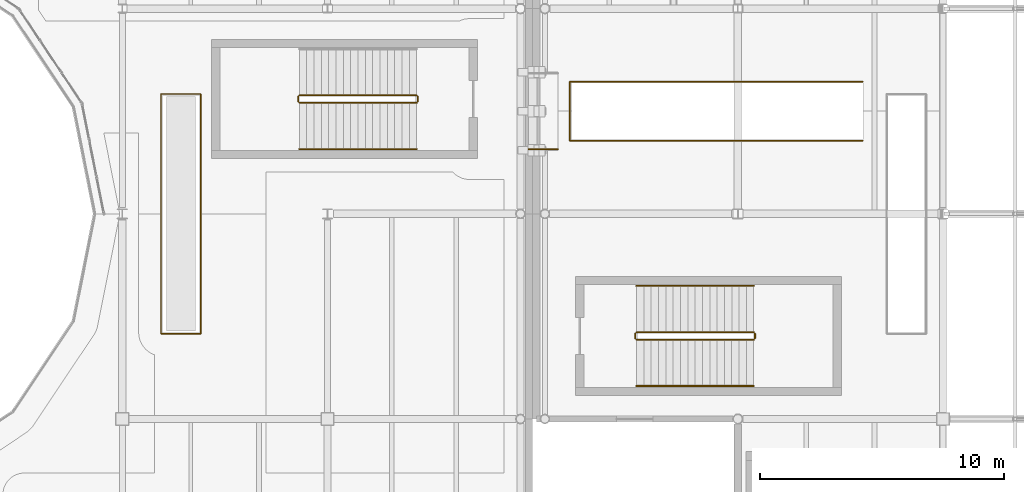
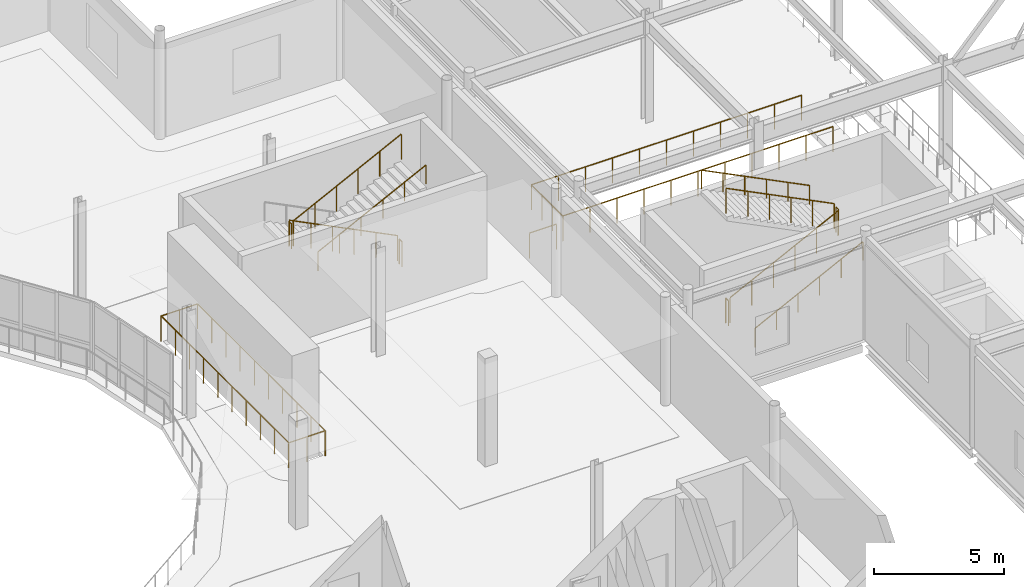
# One storey, part 89 of 103: 14 railings.
"""IFC4 building model written with IfcOpenShell, lengths in metres."""

from ifc_helpers import new_model, si_unit, direction, frame, origin, origin_2d, place, context, subcontext, project, spatial, circle, extrude, material, type_object, element, save


model = new_model("IFC4")

# Units and contexts
model_context = context("Model", 3, precision=1e-05, world=origin(), true_north=direction((0.0, 1.0)))
body_context = subcontext(model_context, "Body", "Model", "MODEL_VIEW")
ifc_project = project(units=[si_unit("LENGTHUNIT", "METRE"), si_unit("AREAUNIT", "SQUARE_METRE"), si_unit("VOLUMEUNIT", "CUBIC_METRE"), si_unit("PLANEANGLEUNIT", "RADIAN"), si_unit("MASSUNIT", "GRAM", prefix="KILO"), si_unit("THERMODYNAMICTEMPERATUREUNIT", "KELVIN")], contexts=[model_context])

# Site, building, storey
site_placement = place(None, origin())
site = spatial("IfcSite", under=ifc_project, at=site_placement, CompositionType="ELEMENT")
building_placement = place(site_placement, origin())
building = spatial("IfcBuilding", under=site, at=building_placement, Name="Lustrewick Department Store", CompositionType="ELEMENT")
storey_placement = place(building_placement, frame((0.0, 0.0, 16.5)))
storey = spatial("IfcBuildingStorey", under=building, at=storey_placement, Name="L04", CompositionType="ELEMENT", Elevation=16.5)

# Railings
ifc_material_1 = material(Name="Laminated safety glass and bronze atrium balustrade", Category="glass")
railing_type_1 = type_object("IfcRailingType", Name="RL-BAL", PredefinedType="BALUSTRADE", material=ifc_material_1)
railing_1_placement = place(storey_placement, frame((72.320068359375, 70.18994140625, 0.0)))
element("IfcRailing", 1, at=railing_1_placement, inside=storey, type_object=railing_type_1, Name="L04 Feature Stair AST03 Well Balustrade", PredefinedType="BALUSTRADE", context=body_context, shape_type="SweptSolid", body=[
    extrude(circle(Radius=0.02392578125, at=origin_2d()), frame((0.0, 0.0, 1.17578125), z_axis=(-1.0, 0.0, 0.0), x_axis=(0.0, -1.0, 0.0)), (0.0, 0.0, 1.0), 12.0),
    extrude(circle(Radius=0.02392578125, at=origin_2d()), frame((-12.0, 0.0, 1.17578125), z_axis=(0.0, 1.0, 0.0), x_axis=(-1.0, 0.0, 0.0)), (0.0, 0.0, 1.0), 2.420166015625),
    extrude(circle(Radius=0.02392578125, at=origin_2d()), frame((-12.0, 2.420166015625, 1.17578125), z_axis=(1.0, 0.0, 0.0), x_axis=(0.0, 1.0, 0.0)), (0.0, 0.0, 1.0), 12.0),
    extrude(circle(Radius=0.02099609375, at=origin_2d()), origin(), (0.0, 0.0, 1.0), 1.15185546875),
    extrude(circle(Radius=0.02099609375, at=origin_2d()), frame((-1.199951171875, 0.0, 0.0)), (0.0, 0.0, 1.0), 1.15185546875),
    extrude(circle(Radius=0.02099609375, at=origin_2d()), frame((-2.39990234375, 0.0, 0.0)), (0.0, 0.0, 1.0), 1.15185546875),
    extrude(circle(Radius=0.02099609375, at=origin_2d()), frame((-3.60009765625, 0.0, 0.0)), (0.0, 0.0, 1.0), 1.15185546875),
    extrude(circle(Radius=0.02099609375, at=origin_2d()), frame((-4.800048828125, 0.0, 0.0)), (0.0, 0.0, 1.0), 1.15185546875),
    extrude(circle(Radius=0.02099609375, at=origin_2d()), frame((-6.0, 0.0, 0.0)), (0.0, 0.0, 1.0), 1.15185546875),
    extrude(circle(Radius=0.02099609375, at=origin_2d()), frame((-7.199951171875, 0.0, 0.0)), (0.0, 0.0, 1.0), 1.15185546875),
    extrude(circle(Radius=0.02099609375, at=origin_2d()), frame((-8.39990234375, 0.0, 0.0)), (0.0, 0.0, 1.0), 1.15185546875),
    extrude(circle(Radius=0.02099609375, at=origin_2d()), frame((-9.60009765625, 0.0, 0.0)), (0.0, 0.0, 1.0), 1.15185546875),
    extrude(circle(Radius=0.02099609375, at=origin_2d()), frame((-10.800048828125, 0.0, 0.0)), (0.0, 0.0, 1.0), 1.15185546875),
    extrude(circle(Radius=0.02099609375, at=origin_2d()), frame((-12.0, 0.0, 0.0)), (0.0, 0.0, 1.0), 1.15185546875),
    extrude(circle(Radius=0.02099609375, at=origin_2d()), frame((-12.0, 0.806640625, 0.0)), (0.0, 0.0, 1.0), 1.15185546875),
    extrude(circle(Radius=0.02099609375, at=origin_2d()), frame((-12.0, 1.613525390625, 0.0)), (0.0, 0.0, 1.0), 1.15185546875),
    extrude(circle(Radius=0.02099609375, at=origin_2d()), frame((-12.0, 2.420166015625, 0.0)), (0.0, 0.0, 1.0), 1.15185546875),
    extrude(circle(Radius=0.02099609375, at=origin_2d()), frame((-10.800048828125, 2.420166015625, 0.0)), (0.0, 0.0, 1.0), 1.15185546875),
    extrude(circle(Radius=0.02099609375, at=origin_2d()), frame((-9.60009765625, 2.420166015625, 0.0)), (0.0, 0.0, 1.0), 1.15185546875),
    extrude(circle(Radius=0.02099609375, at=origin_2d()), frame((-8.39990234375, 2.420166015625, 0.0)), (0.0, 0.0, 1.0), 1.15185546875),
    extrude(circle(Radius=0.02099609375, at=origin_2d()), frame((-7.199951171875, 2.420166015625, 0.0)), (0.0, 0.0, 1.0), 1.15185546875),
    extrude(circle(Radius=0.02099609375, at=origin_2d()), frame((-6.0, 2.420166015625, 0.0)), (0.0, 0.0, 1.0), 1.15185546875),
    extrude(circle(Radius=0.02099609375, at=origin_2d()), frame((-4.800048828125, 2.420166015625, 0.0)), (0.0, 0.0, 1.0), 1.15185546875),
    extrude(circle(Radius=0.02099609375, at=origin_2d()), frame((-3.60009765625, 2.420166015625, 0.0)), (0.0, 0.0, 1.0), 1.15185546875),
    extrude(circle(Radius=0.02099609375, at=origin_2d()), frame((-2.39990234375, 2.420166015625, 0.0)), (0.0, 0.0, 1.0), 1.15185546875),
    extrude(circle(Radius=0.02099609375, at=origin_2d()), frame((-1.199951171875, 2.420166015625, 0.0)), (0.0, 0.0, 1.0), 1.15185546875),
    extrude(circle(Radius=0.02099609375, at=origin_2d()), frame((0.0, 2.420166015625, 0.0)), (0.0, 0.0, 1.0), 1.15185546875),
])
railing_2_placement = place(storey_placement, frame((43.590087890625, 62.2900390625, 0.0)))
element("IfcRailing", 2, at=railing_2_placement, inside=storey, type_object=railing_type_1, Name="L04 V1 Escalator Well Balustrade 0038", PredefinedType="BALUSTRADE", context=body_context, shape_type="SweptSolid", body=[
    extrude(circle(Radius=0.02392578125, at=origin_2d()), frame((0.0, 0.0, 1.17578125), z_axis=(0.0, 1.0, 0.0), x_axis=(-1.0, 0.0, 0.0)), (0.0, 0.0, 1.0), 9.820068359375),
    extrude(circle(Radius=0.02392578125, at=origin_2d()), frame((0.0, 9.820068359375, 1.17578125), z_axis=(1.0, 0.0, 0.0), x_axis=(0.0, 1.0, 0.0)), (0.0, 0.0, 1.0), 1.619873046875),
    extrude(circle(Radius=0.02392578125, at=origin_2d()), frame((1.619873046875, 9.820068359375, 1.17578125), z_axis=(0.0, -1.0, 0.0), x_axis=(1.0, 0.0, 0.0)), (0.0, 0.0, 1.0), 9.820068359375),
    extrude(circle(Radius=0.02392578125, at=origin_2d()), frame((1.619873046875, 0.0, 1.17578125), z_axis=(-1.0, 0.0, 0.0), x_axis=(0.0, -1.0, 0.0)), (0.0, 0.0, 1.0), 1.619873046875),
    extrude(circle(Radius=0.02099609375, at=origin_2d()), origin(), (0.0, 0.0, 1.0), 1.15185546875),
    extrude(circle(Radius=0.02099609375, at=origin_2d()), frame((0.0, 1.091064453125, 0.0)), (0.0, 0.0, 1.0), 1.15185546875),
    extrude(circle(Radius=0.02099609375, at=origin_2d()), frame((0.0, 2.18212890625, 0.0)), (0.0, 0.0, 1.0), 1.15185546875),
    extrude(circle(Radius=0.02099609375, at=origin_2d()), frame((0.0, 3.2734375, 0.0)), (0.0, 0.0, 1.0), 1.15185546875),
    extrude(circle(Radius=0.02099609375, at=origin_2d()), frame((0.0, 4.364501953125, 0.0)), (0.0, 0.0, 1.0), 1.15185546875),
    extrude(circle(Radius=0.02099609375, at=origin_2d()), frame((0.0, 5.45556640625, 0.0)), (0.0, 0.0, 1.0), 1.15185546875),
    extrude(circle(Radius=0.02099609375, at=origin_2d()), frame((0.0, 6.546630859375, 0.0)), (0.0, 0.0, 1.0), 1.15185546875),
    extrude(circle(Radius=0.02099609375, at=origin_2d()), frame((0.0, 7.637939453125, 0.0)), (0.0, 0.0, 1.0), 1.15185546875),
    extrude(circle(Radius=0.02099609375, at=origin_2d()), frame((0.0, 8.72900390625, 0.0)), (0.0, 0.0, 1.0), 1.15185546875),
    extrude(circle(Radius=0.02099609375, at=origin_2d()), frame((0.0, 9.820068359375, 0.0)), (0.0, 0.0, 1.0), 1.15185546875),
    extrude(circle(Radius=0.02099609375, at=origin_2d()), frame((0.81005859375, 9.820068359375, 0.0)), (0.0, 0.0, 1.0), 1.15185546875),
    extrude(circle(Radius=0.02099609375, at=origin_2d()), frame((1.619873046875, 9.820068359375, 0.0)), (0.0, 0.0, 1.0), 1.15185546875),
    extrude(circle(Radius=0.02099609375, at=origin_2d()), frame((1.619873046875, 8.72900390625, 0.0)), (0.0, 0.0, 1.0), 1.15185546875),
    extrude(circle(Radius=0.02099609375, at=origin_2d()), frame((1.619873046875, 7.637939453125, 0.0)), (0.0, 0.0, 1.0), 1.15185546875),
    extrude(circle(Radius=0.02099609375, at=origin_2d()), frame((1.619873046875, 6.546630859375, 0.0)), (0.0, 0.0, 1.0), 1.15185546875),
    extrude(circle(Radius=0.02099609375, at=origin_2d()), frame((1.619873046875, 5.45556640625, 0.0)), (0.0, 0.0, 1.0), 1.15185546875),
    extrude(circle(Radius=0.02099609375, at=origin_2d()), frame((1.619873046875, 4.364501953125, 0.0)), (0.0, 0.0, 1.0), 1.15185546875),
    extrude(circle(Radius=0.02099609375, at=origin_2d()), frame((1.619873046875, 3.2734375, 0.0)), (0.0, 0.0, 1.0), 1.15185546875),
    extrude(circle(Radius=0.02099609375, at=origin_2d()), frame((1.619873046875, 2.18212890625, 0.0)), (0.0, 0.0, 1.0), 1.15185546875),
    extrude(circle(Radius=0.02099609375, at=origin_2d()), frame((1.619873046875, 1.091064453125, 0.0)), (0.0, 0.0, 1.0), 1.15185546875),
    extrude(circle(Radius=0.02099609375, at=origin_2d()), frame((1.619873046875, 0.0, 0.0)), (0.0, 0.0, 1.0), 1.15185546875),
    extrude(circle(Radius=0.02099609375, at=origin_2d()), frame((0.81005859375, 0.0, 0.0)), (0.0, 0.0, 1.0), 1.15185546875),
])
railing_3_placement = place(storey_placement, frame((58.639892578125, 69.840087890625, 0.0)))
element("IfcRailing", 3, at=railing_3_placement, inside=storey, type_object=railing_type_1, Name="L04 Skybridge SB12 South Guard 0040", PredefinedType="BALUSTRADE", context=body_context, shape_type="SweptSolid", body=[
    extrude(circle(Radius=0.02392578125, at=origin_2d()), frame((0.0, 0.0, 1.17578125), z_axis=(1.0, 0.0, 0.0), x_axis=(0.0, 1.0, 0.0)), (0.0, 0.0, 1.0), 1.190185546875),
    extrude(circle(Radius=0.02099609375, at=origin_2d()), origin(), (0.0, 0.0, 1.0), 1.15185546875),
    extrude(circle(Radius=0.02099609375, at=origin_2d()), frame((1.190185546875, 0.0, 0.0)), (0.0, 0.0, 1.0), 1.15185546875),
])
ifc_material_2 = material(Name="Painted tubular steel stairwell guardrail", Category="steel")
railing_type_2 = type_object("IfcRailingType", Name="RL-STG", PredefinedType="GUARDRAIL", material=ifc_material_2)
railing_4_placement = place(storey_placement, frame((54.050048828125, 72.050048828125, 0.14990234375)))
element("IfcRailing", 4, at=railing_4_placement, inside=storey, type_object=railing_type_2, Name="L04 ST02 Stair Guard 1", PredefinedType="GUARDRAIL", context=body_context, shape_type="SweptSolid", body=[
    extrude(circle(Radius=0.02392578125, at=origin_2d()), frame((0.0, 0.0, 1.17578125), z_axis=(-0.894418092416, 0.0, 0.447231792205), x_axis=(0.0, -1.0, 0.0)), (0.0, 0.0, 1.0), 5.36669921875),
    extrude(circle(Radius=0.02099609375, at=origin_2d()), origin(), (0.0, 0.0, 1.0), 1.15185546875),
    extrude(circle(Radius=0.02099609375, at=origin_2d()), frame((-0.9599609375, 0.0, 0.47998046875)), (0.0, 0.0, 1.0), 1.15185546875),
    extrude(circle(Radius=0.02099609375, at=origin_2d()), frame((-1.919921875, 0.0, 0.9599609375)), (0.0, 0.0, 1.0), 1.15185546875),
    extrude(circle(Radius=0.02099609375, at=origin_2d()), frame((-2.880126953125, 0.0, 1.440185546875)), (0.0, 0.0, 1.0), 1.15185546875),
    extrude(circle(Radius=0.02099609375, at=origin_2d()), frame((-3.840087890625, 0.0, 1.920166015625)), (0.0, 0.0, 1.0), 1.15185546875),
    extrude(circle(Radius=0.02099609375, at=origin_2d()), frame((-4.800048828125, 0.0, 2.400146484375)), (0.0, 0.0, 1.0), 1.15185546875),
])
railing_5_placement = place(storey_placement, frame((49.199951171875, 72.0, 2.550048828125)))
element("IfcRailing", 5, at=railing_5_placement, inside=storey, type_object=railing_type_2, Name="L04 ST02 Stair Guard 2", PredefinedType="GUARDRAIL", context=body_context, shape_type="SweptSolid", body=[
    extrude(circle(Radius=0.02392578125, at=origin_2d()), frame((0.0, 0.0, 1.17578125), z_axis=(0.0, -1.0, 0.0), x_axis=(1.0, 0.0, 0.0)), (0.0, 0.0, 1.0), 0.199951171875),
    extrude(circle(Radius=0.02099609375, at=origin_2d()), origin(), (0.0, 0.0, 1.0), 1.15185546875),
    extrude(circle(Radius=0.02099609375, at=origin_2d()), frame((0.0, -0.199951171875, 0.0)), (0.0, 0.0, 1.0), 1.15185546875),
])
railing_6_placement = place(storey_placement, frame((49.25, 71.75, 2.699951171875)))
element("IfcRailing", 6, at=railing_6_placement, inside=storey, type_object=railing_type_2, Name="L04 ST02 Stair Guard 3", PredefinedType="GUARDRAIL", context=body_context, shape_type="SweptSolid", body=[
    extrude(circle(Radius=0.02392578125, at=origin_2d()), frame((0.0, 0.0, 1.17578125), z_axis=(0.894418092416, 0.0, 0.447231792205), x_axis=(0.0, 1.0, 0.0)), (0.0, 0.0, 1.0), 5.36669921875),
    extrude(circle(Radius=0.02099609375, at=origin_2d()), origin(), (0.0, 0.0, 1.0), 1.15185546875),
    extrude(circle(Radius=0.02099609375, at=origin_2d()), frame((0.9599609375, 0.0, 0.47998046875)), (0.0, 0.0, 1.0), 1.15185546875),
    extrude(circle(Radius=0.02099609375, at=origin_2d()), frame((1.919921875, 0.0, 0.9599609375)), (0.0, 0.0, 1.0), 1.15185546875),
    extrude(circle(Radius=0.02099609375, at=origin_2d()), frame((2.880126953125, 0.0, 1.440185546875)), (0.0, 0.0, 1.0), 1.15185546875),
    extrude(circle(Radius=0.02099609375, at=origin_2d()), frame((3.840087890625, 0.0, 1.920166015625)), (0.0, 0.0, 1.0), 1.15185546875),
    extrude(circle(Radius=0.02099609375, at=origin_2d()), frame((4.800048828125, 0.0, 2.400146484375)), (0.0, 0.0, 1.0), 1.15185546875),
])
railing_7_placement = place(storey_placement, frame((54.10009765625, 72.0, 0.0)))
element("IfcRailing", 7, at=railing_7_placement, inside=storey, type_object=railing_type_2, Name="L04 ST02 Stair Guard 4", PredefinedType="GUARDRAIL", context=body_context, shape_type="SweptSolid", body=[
    extrude(circle(Radius=0.02392578125, at=origin_2d()), frame((0.0, 0.0, 1.17578125), z_axis=(0.0, -1.0, 0.0), x_axis=(1.0, 0.0, 0.0)), (0.0, 0.0, 1.0), 0.199951171875),
    extrude(circle(Radius=0.02099609375, at=origin_2d()), origin(), (0.0, 0.0, 1.0), 1.15185546875),
    extrude(circle(Radius=0.02099609375, at=origin_2d()), frame((0.0, -0.199951171875, 0.0)), (0.0, 0.0, 1.0), 1.15185546875),
])
railing_8_placement = place(storey_placement, frame((63.050048828125, 62.050048828125, 0.14990234375)))
element("IfcRailing", 8, at=railing_8_placement, inside=storey, type_object=railing_type_2, Name="L04 ST04 Stair Guard 1", PredefinedType="GUARDRAIL", context=body_context, shape_type="SweptSolid", body=[
    extrude(circle(Radius=0.02392578125, at=origin_2d()), frame((0.0, 0.0, 1.17578125), z_axis=(0.894418092416, 0.0, 0.447231792205), x_axis=(0.0, 1.0, 0.0)), (0.0, 0.0, 1.0), 5.36669921875),
    extrude(circle(Radius=0.02099609375, at=origin_2d()), origin(), (0.0, 0.0, 1.0), 1.15185546875),
    extrude(circle(Radius=0.02099609375, at=origin_2d()), frame((0.9599609375, 0.0, 0.47998046875)), (0.0, 0.0, 1.0), 1.15185546875),
    extrude(circle(Radius=0.02099609375, at=origin_2d()), frame((1.919921875, 0.0, 0.9599609375)), (0.0, 0.0, 1.0), 1.15185546875),
    extrude(circle(Radius=0.02099609375, at=origin_2d()), frame((2.880126953125, 0.0, 1.440185546875)), (0.0, 0.0, 1.0), 1.15185546875),
    extrude(circle(Radius=0.02099609375, at=origin_2d()), frame((3.840087890625, 0.0, 1.920166015625)), (0.0, 0.0, 1.0), 1.15185546875),
    extrude(circle(Radius=0.02099609375, at=origin_2d()), frame((4.800048828125, 0.0, 2.400146484375)), (0.0, 0.0, 1.0), 1.15185546875),
])
railing_9_placement = place(storey_placement, frame((67.89990234375, 62.10009765625, 2.550048828125)))
element("IfcRailing", 9, at=railing_9_placement, inside=storey, type_object=railing_type_2, Name="L04 ST04 Stair Guard 2", PredefinedType="GUARDRAIL", context=body_context, shape_type="SweptSolid", body=[
    extrude(circle(Radius=0.02392578125, at=origin_2d()), frame((0.0, 0.0, 1.17578125), z_axis=(0.0, 1.0, 0.0), x_axis=(-1.0, 0.0, 0.0)), (0.0, 0.0, 1.0), 0.199951171875),
    extrude(circle(Radius=0.02099609375, at=origin_2d()), origin(), (0.0, 0.0, 1.0), 1.15185546875),
    extrude(circle(Radius=0.02099609375, at=origin_2d()), frame((0.0, 0.199951171875, 0.0)), (0.0, 0.0, 1.0), 1.15185546875),
])
railing_10_placement = place(storey_placement, frame((67.85009765625, 62.35009765625, 2.699951171875)))
element("IfcRailing", 10, at=railing_10_placement, inside=storey, type_object=railing_type_2, Name="L04 ST04 Stair Guard 3", PredefinedType="GUARDRAIL", context=body_context, shape_type="SweptSolid", body=[
    extrude(circle(Radius=0.02392578125, at=origin_2d()), frame((0.0, 0.0, 1.17578125), z_axis=(-0.894418092416, 0.0, 0.447231792205), x_axis=(0.0, -1.0, 0.0)), (0.0, 0.0, 1.0), 5.36669921875),
    extrude(circle(Radius=0.02099609375, at=origin_2d()), origin(), (0.0, 0.0, 1.0), 1.15185546875),
    extrude(circle(Radius=0.02099609375, at=origin_2d()), frame((-0.9599609375, 0.0, 0.47998046875)), (0.0, 0.0, 1.0), 1.15185546875),
    extrude(circle(Radius=0.02099609375, at=origin_2d()), frame((-1.919921875, 0.0, 0.9599609375)), (0.0, 0.0, 1.0), 1.15185546875),
    extrude(circle(Radius=0.02099609375, at=origin_2d()), frame((-2.880126953125, 0.0, 1.440185546875)), (0.0, 0.0, 1.0), 1.15185546875),
    extrude(circle(Radius=0.02099609375, at=origin_2d()), frame((-3.840087890625, 0.0, 1.920166015625)), (0.0, 0.0, 1.0), 1.15185546875),
    extrude(circle(Radius=0.02099609375, at=origin_2d()), frame((-4.800048828125, 0.0, 2.400146484375)), (0.0, 0.0, 1.0), 1.15185546875),
])
railing_11_placement = place(storey_placement, frame((63.0, 62.10009765625, 0.0)))
element("IfcRailing", 11, at=railing_11_placement, inside=storey, type_object=railing_type_2, Name="L04 ST04 Stair Guard 4", PredefinedType="GUARDRAIL", context=body_context, shape_type="SweptSolid", body=[
    extrude(circle(Radius=0.02392578125, at=origin_2d()), frame((0.0, 0.0, 1.17578125), z_axis=(0.0, 1.0, 0.0), x_axis=(-1.0, 0.0, 0.0)), (0.0, 0.0, 1.0), 0.199951171875),
    extrude(circle(Radius=0.02099609375, at=origin_2d()), origin(), (0.0, 0.0, 1.0), 1.15185546875),
    extrude(circle(Radius=0.02099609375, at=origin_2d()), frame((0.0, 0.199951171875, 0.0)), (0.0, 0.0, 1.0), 1.15185546875),
])
ifc_material_3 = material(Name="Brushed stainless steel wall handrail", Category="steel")
railing_type_3 = type_object("IfcRailingType", Name="RL-STH", PredefinedType="HANDRAIL", material=ifc_material_3)
for number, where, name in (
    (12, (49.25, 69.85009765625, 2.699951171875), "L04 ST02 Stair Handrail 2"),
    (13, (63.050048828125, 60.14990234375, 0.14990234375), "L04 ST04 Stair Handrail 1"),
):
    element("IfcRailing", number, at=place(storey_placement, frame(where)), inside=storey, type_object=railing_type_3, Name=name, PredefinedType="HANDRAIL", context=body_context, shape_type="SweptSolid", body=[
        extrude(circle(Radius=0.02392578125, at=origin_2d()), frame((0.0, 0.0, 0.8759765625), z_axis=(0.894418092416, 0.0, 0.447231792205), x_axis=(0.0, 1.0, 0.0)), (0.0, 0.0, 1.0), 5.36669921875),
        extrude(circle(Radius=0.02099609375, at=origin_2d()), origin(), (0.0, 0.0, 1.0), 0.851806640625),
        extrude(circle(Radius=0.02099609375, at=origin_2d()), frame((0.9599609375, 0.0, 0.47998046875)), (0.0, 0.0, 1.0), 0.851806640625),
        extrude(circle(Radius=0.02099609375, at=origin_2d()), frame((1.919921875, 0.0, 0.9599609375)), (0.0, 0.0, 1.0), 0.851806640625),
        extrude(circle(Radius=0.02099609375, at=origin_2d()), frame((2.880126953125, 0.0, 1.440185546875)), (0.0, 0.0, 1.0), 0.851806640625),
        extrude(circle(Radius=0.02099609375, at=origin_2d()), frame((3.840087890625, 0.0, 1.920166015625)), (0.0, 0.0, 1.0), 0.851806640625),
        extrude(circle(Radius=0.02099609375, at=origin_2d()), frame((4.800048828125, 0.0, 2.400146484375)), (0.0, 0.0, 1.0), 0.851806640625),
    ])
railing_12_placement = place(storey_placement, frame((67.85009765625, 64.25, 2.699951171875)))
element("IfcRailing", 14, at=railing_12_placement, inside=storey, type_object=railing_type_3, Name="L04 ST04 Stair Handrail 2", PredefinedType="HANDRAIL", context=body_context, shape_type="SweptSolid", body=[
    extrude(circle(Radius=0.02392578125, at=origin_2d()), frame((0.0, 0.0, 0.8759765625), z_axis=(-0.894418092416, 0.0, 0.447231792205), x_axis=(0.0, -1.0, 0.0)), (0.0, 0.0, 1.0), 5.36669921875),
    extrude(circle(Radius=0.02099609375, at=origin_2d()), origin(), (0.0, 0.0, 1.0), 0.851806640625),
    extrude(circle(Radius=0.02099609375, at=origin_2d()), frame((-0.9599609375, 0.0, 0.47998046875)), (0.0, 0.0, 1.0), 0.851806640625),
    extrude(circle(Radius=0.02099609375, at=origin_2d()), frame((-1.919921875, 0.0, 0.9599609375)), (0.0, 0.0, 1.0), 0.851806640625),
    extrude(circle(Radius=0.02099609375, at=origin_2d()), frame((-2.880126953125, 0.0, 1.440185546875)), (0.0, 0.0, 1.0), 0.851806640625),
    extrude(circle(Radius=0.02099609375, at=origin_2d()), frame((-3.840087890625, 0.0, 1.920166015625)), (0.0, 0.0, 1.0), 0.851806640625),
    extrude(circle(Radius=0.02099609375, at=origin_2d()), frame((-4.800048828125, 0.0, 2.400146484375)), (0.0, 0.0, 1.0), 0.851806640625),
])

save(model, "model.ifc")
